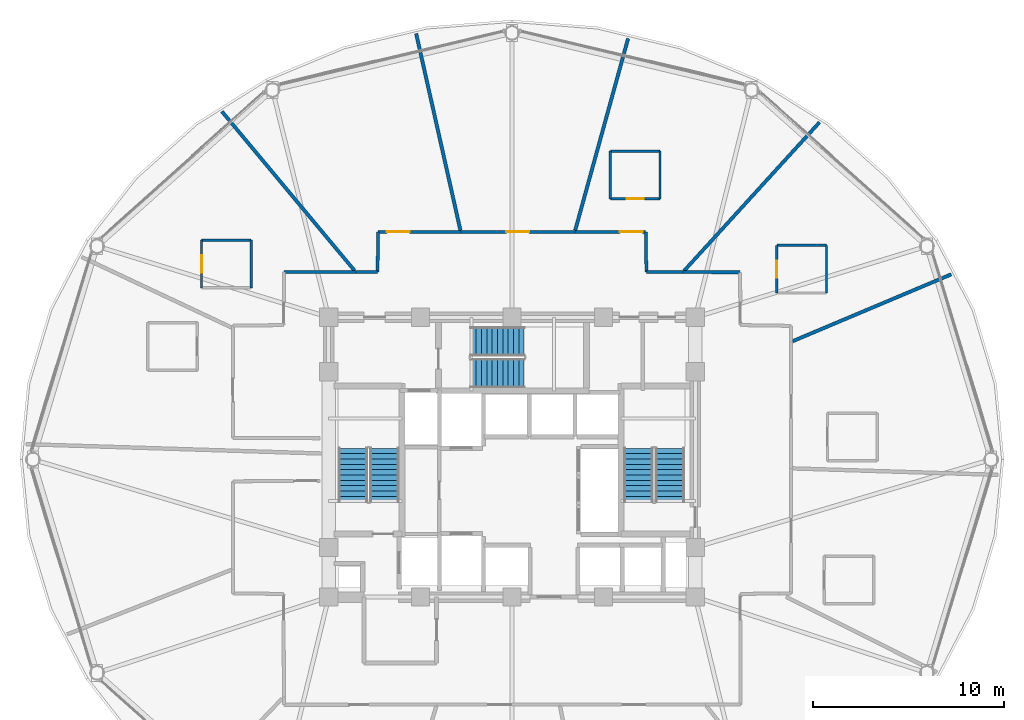
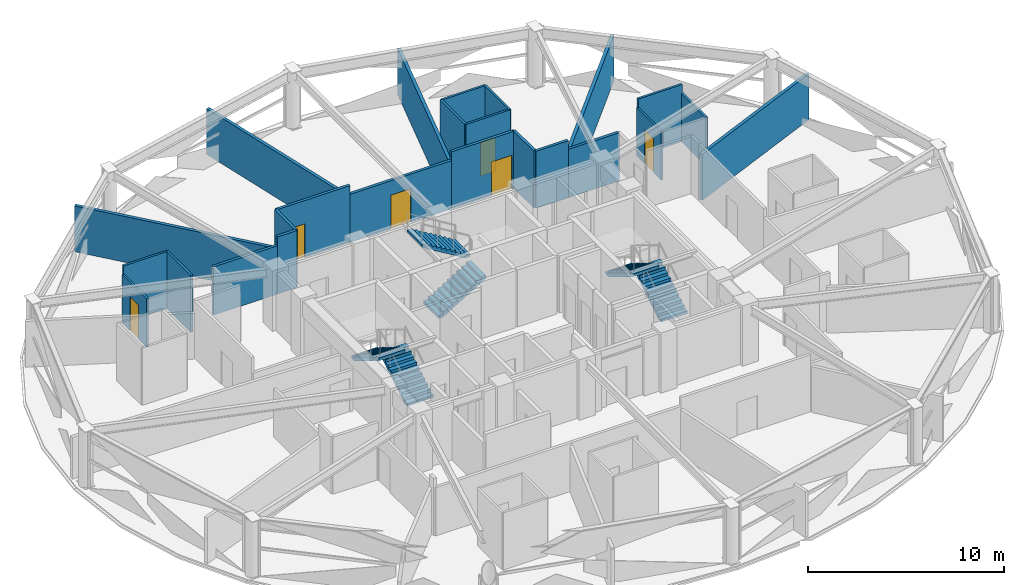
# One storey, part 26 of 30: 24 walls, 6 doors, 6 stair flights, 6 openings, 3 elements without a shape of their own.
"""IFC4 building model written with IfcOpenShell, lengths in metres."""

from ifc_helpers import new_model, si_unit, direction, frame, frame_2d, origin, place, context, subcontext, project, spatial, polyline, rectangle, outline, extrude, material, layer, layer_set, type_object, element, fill, aggregate, save


model = new_model("IFC4")

# Units and contexts
model_context = context("Model", 3, precision=1e-05, world=origin(), true_north=direction((0.0, 1.0)))
body_context = subcontext(model_context, "Body", "Model", "MODEL_VIEW")
ifc_project = project(units=[si_unit("LENGTHUNIT", "METRE"), si_unit("AREAUNIT", "SQUARE_METRE"), si_unit("VOLUMEUNIT", "CUBIC_METRE"), si_unit("PLANEANGLEUNIT", "RADIAN"), si_unit("MASSUNIT", "GRAM", prefix="KILO")], contexts=[model_context])

# Site, building, storey
site_placement = place(None, origin())
site = spatial("IfcSite", under=ifc_project, at=site_placement, CompositionType="ELEMENT")
building_placement = place(site_placement, origin())
building = spatial("IfcBuilding", under=site, at=building_placement, Name="Vantalir Tower", CompositionType="ELEMENT")
storey_placement = place(building_placement, frame((0.0, 0.0, 130.949951171875)))
storey = spatial("IfcBuildingStorey", under=building, at=storey_placement, Name="L32", CompositionType="ELEMENT", Elevation=130.949951171875)

# Wall
ifc_material_1 = material(Name="Moisture-resistant en-suite partition", Category="gypsum")
ifc_layer_1 = layer(ifc_material_1, 0.125)
ifc_layer_set_1 = layer_set([ifc_layer_1], Name="Moisture-resistant en-suite partition")
wall_type_1 = type_object("IfcWallType", Name="WL-BATH-125", PredefinedType="PARTITIONING", material=ifc_layer_set_1)
wall_1_placement = place(storey_placement, frame((45.373046875, 36.218994140625, 0.0), z_axis=(0.0, 0.0, 1.0), x_axis=(1.0, 0.0, 0.0)))
element("IfcWall", 1, at=wall_1_placement, inside=storey, type_object=wall_type_1, Name="L32 En-suite 01 North Wall", PredefinedType="PARTITIONING", context=body_context, shape_type="SweptSolid", body=[
    extrude(rectangle(XDim=2.599853515625, YDim=0.125, at=frame_2d((1.2998046875, 0.0))), origin(), (0.0, 0.0, 1.0), 3.550048828125),
])

# Wall, opening, door
wall_2_placement = place(storey_placement, frame((45.373046875, 33.718994140625, 0.0), z_axis=(0.0, 0.0, 1.0), x_axis=(0.0, 1.0, 0.0)))
wall_2 = element("IfcWall", 2, at=wall_2_placement, inside=storey, type_object=wall_type_1, Name="L32 En-suite 01 West Wall", PredefinedType="PARTITIONING", context=body_context, shape_type="SweptSolid", body=[
    extrude(rectangle(XDim=2.5, YDim=0.125, at=frame_2d((1.25, 0.0))), origin(), (0.0, 0.0, 1.0), 3.006103515625),
])
opening_1_placement = place(wall_2_placement, frame((0.800048828125, 0.0, 0.0)))
opening_1 = element("IfcOpeningElement", 3, at=opening_1_placement, cuts=wall_2, Name="Opening D-WC", PredefinedType="OPENING", context=body_context, shape_type="SweptSolid", body=[
    extrude(rectangle(XDim=0.89990234375, YDim=2.10009765625, at=frame_2d((0.449951171875, 1.050048828125))), frame((0.0, 0.072509765625, 0.0), z_axis=(0.0, -1.0, 0.0), x_axis=(1.0, 0.0, 0.0)), (0.0, 0.0, 1.0), 0.14501953125),
])
ifc_material_2 = material(Name="Moisture-resistant hardwood door", Category="wood")
door_type_1 = type_object("IfcDoorType", Name="DR-ENSUITE-900", OperationType="NOTDEFINED", PredefinedType="DOOR", material=ifc_material_2)
door_1_placement = place(opening_1_placement, frame((0.89990234375, 0.0, 0.0), z_axis=(0.0, 0.0, 1.0), x_axis=(-1.0, 0.0, 0.0)))
door_1 = element("IfcDoor", 4, at=door_1_placement, inside=storey, type_object=door_type_1, Name="L32 En-suite 01 Door", OperationType="SINGLE_SWING_RIGHT", OverallHeight=2.10009765625, OverallWidth=0.89990234375, PredefinedType="DOOR", context=body_context, shape_type="SweptSolid", body=[
    extrude(rectangle(XDim=0.89990234375, YDim=2.10009765625, at=frame_2d((0.449951171875, 1.050048828125))), frame((0.0, 0.02490234375, 0.0), z_axis=(0.0, -1.0, 0.0), x_axis=(1.0, 0.0, 0.0)), (0.0, 0.0, 1.0), 0.050048828125),
])
fill(opening_1, door_1)

# Wall
wall_3_placement = place(storey_placement, frame((47.972900390625, 33.718994140625, 0.0), z_axis=(0.0, 0.0, 1.0), x_axis=(0.0, 1.0, 0.0)))
element("IfcWall", 5, at=wall_3_placement, inside=storey, type_object=wall_type_1, Name="L32 En-suite 01 East Wall", PredefinedType="PARTITIONING", context=body_context, shape_type="SweptSolid", body=[
    extrude(rectangle(XDim=2.5, YDim=0.125, at=frame_2d((1.25, 0.0))), origin(), (0.0, 0.0, 1.0), 3.006103515625),
])

# Wall, opening, door
wall_4_placement = place(storey_placement, frame((36.64990234375, 38.64990234375, 0.0), z_axis=(0.0, 0.0, 1.0), x_axis=(1.0, 0.0, 0.0)))
wall_4 = element("IfcWall", 6, at=wall_4_placement, inside=storey, type_object=wall_type_1, Name="L32 En-suite 02 South Wall", PredefinedType="PARTITIONING", context=body_context, shape_type="SweptSolid", body=[
    extrude(rectangle(XDim=2.60009765625, YDim=0.125, at=frame_2d((1.300048828125, 0.0))), origin(), (0.0, 0.0, 1.0), 3.550048828125),
])
opening_2_placement = place(wall_4_placement, frame((0.85009765625, 0.0, 0.0)))
opening_2 = element("IfcOpeningElement", 7, at=opening_2_placement, cuts=wall_4, Name="Opening D-WC", PredefinedType="OPENING", context=body_context, shape_type="SweptSolid", body=[
    extrude(rectangle(XDim=0.89990234375, YDim=2.10009765625, at=frame_2d((0.449951171875, 1.050048828125))), frame((0.0, 0.072509765625, 0.0), z_axis=(0.0, -1.0, 0.0), x_axis=(1.0, 0.0, 0.0)), (0.0, 0.0, 1.0), 0.14501953125),
])
door_2_placement = place(opening_2_placement, origin())
door_2 = element("IfcDoor", 8, at=door_2_placement, inside=storey, type_object=door_type_1, Name="L32 En-suite 02 Door", OperationType="SINGLE_SWING_LEFT", OverallHeight=2.10009765625, OverallWidth=0.89990234375, PredefinedType="DOOR", context=body_context, shape_type="SweptSolid", body=[
    extrude(rectangle(XDim=0.89990234375, YDim=2.10009765625, at=frame_2d((0.449951171875, 1.050048828125))), frame((0.0, 0.02490234375, 0.0), z_axis=(0.0, -1.0, 0.0), x_axis=(1.0, 0.0, 0.0)), (0.0, 0.0, 1.0), 0.050048828125),
])
fill(opening_2, door_2)

# Walls
wall_5_placement = place(storey_placement, frame((36.64990234375, 41.14990234375, 0.0), z_axis=(0.0, 0.0, 1.0), x_axis=(1.0, 0.0, 0.0)))
element("IfcWall", 9, at=wall_5_placement, inside=storey, type_object=wall_type_1, Name="L32 En-suite 02 North Wall", PredefinedType="PARTITIONING", context=body_context, shape_type="SweptSolid", body=[
    extrude(rectangle(XDim=2.60009765625, YDim=0.125, at=frame_2d((1.300048828125, 0.0))), origin(), (0.0, 0.0, 1.0), 3.550048828125),
])
for number, where, z_axis, x_axis, name in (
    (10, (36.64990234375, 38.64990234375, 0.0), (0.0, 0.0, 1.0), (0.0, 1.0, 0.0), "L32 En-suite 02 West Wall"),
    (11, (39.25, 38.64990234375, 0.0), (0.0, 0.0, 1.0), (0.0, 1.0, 0.0), "L32 En-suite 02 East Wall"),
):
    element("IfcWall", number, at=place(storey_placement, frame(where, z_axis=z_axis, x_axis=x_axis)), inside=storey, type_object=wall_type_1, Name=name, PredefinedType="PARTITIONING", context=body_context, shape_type="SweptSolid", body=[
        extrude(rectangle(XDim=2.5, YDim=0.125, at=frame_2d((1.25, 0.0))), origin(), (0.0, 0.0, 1.0), 3.550048828125),
    ])
wall_6_placement = place(storey_placement, frame((15.239990234375, 36.488037109375, 0.0), z_axis=(0.0, 0.0, 1.0), x_axis=(1.0, 0.0, 0.0)))
element("IfcWall", 12, at=wall_6_placement, inside=storey, type_object=wall_type_1, Name="L32 En-suite 05 North Wall", PredefinedType="PARTITIONING", context=body_context, shape_type="SweptSolid", body=[
    extrude(rectangle(XDim=2.60009765625, YDim=0.125, at=frame_2d((1.300048828125, 0.0))), origin(), (0.0, 0.0, 1.0), 3.550048828125),
])

# Wall, opening, door
wall_7_placement = place(storey_placement, frame((15.239990234375, 33.988037109375, 0.0), z_axis=(0.0, 0.0, 1.0), x_axis=(0.0, 1.0, 0.0)))
wall_7 = element("IfcWall", 13, at=wall_7_placement, inside=storey, type_object=wall_type_1, Name="L32 En-suite 05 West Wall", PredefinedType="PARTITIONING", context=body_context, shape_type="SweptSolid", body=[
    extrude(rectangle(XDim=2.5, YDim=0.125, at=frame_2d((1.25, 0.0))), origin(), (0.0, 0.0, 1.0), 3.006103515625),
])
opening_3_placement = place(wall_7_placement, frame((0.800048828125, 0.0, 0.0)))
opening_3 = element("IfcOpeningElement", 14, at=opening_3_placement, cuts=wall_7, Name="Opening D-WC", PredefinedType="OPENING", context=body_context, shape_type="SweptSolid", body=[
    extrude(rectangle(XDim=0.89990234375, YDim=2.10009765625, at=frame_2d((0.449951171875, 1.050048828125))), frame((0.0, 0.072509765625, 0.0), z_axis=(0.0, -1.0, 0.0), x_axis=(1.0, 0.0, 0.0)), (0.0, 0.0, 1.0), 0.14501953125),
])
door_3_placement = place(opening_3_placement, frame((0.89990234375, 0.0, 0.0), z_axis=(0.0, 0.0, 1.0), x_axis=(-1.0, 0.0, 0.0)))
door_3 = element("IfcDoor", 15, at=door_3_placement, inside=storey, type_object=door_type_1, Name="L32 En-suite 05 Door", OperationType="SINGLE_SWING_RIGHT", OverallHeight=2.10009765625, OverallWidth=0.89990234375, PredefinedType="DOOR", context=body_context, shape_type="SweptSolid", body=[
    extrude(rectangle(XDim=0.89990234375, YDim=2.10009765625, at=frame_2d((0.449951171875, 1.050048828125))), frame((0.0, 0.02490234375, 0.0), z_axis=(0.0, -1.0, 0.0), x_axis=(1.0, 0.0, 0.0)), (0.0, 0.0, 1.0), 0.050048828125),
])
fill(opening_3, door_3)

# Walls
wall_8_placement = place(storey_placement, frame((17.840087890625, 33.988037109375, 0.0), z_axis=(0.0, 0.0, 1.0), x_axis=(0.0, 1.0, 0.0)))
element("IfcWall", 16, at=wall_8_placement, inside=storey, type_object=wall_type_1, Name="L32 En-suite 05 East Wall", PredefinedType="PARTITIONING", context=body_context, shape_type="SweptSolid", body=[
    extrude(rectangle(XDim=2.5, YDim=0.125, at=frame_2d((1.25, 0.0))), origin(), (0.0, 0.0, 1.0), 3.550048828125),
])
ifc_material_3 = material(Name="Fire-rated hotel corridor acoustic partition", Category="gypsum")
ifc_layer_2 = layer(ifc_material_3, 0.159912109375)
ifc_layer_set_2 = layer_set([ifc_layer_2], Name="Fire-rated hotel corridor acoustic partition")
wall_type_2 = type_object("IfcWallType", Name="WL-CORR-160", PredefinedType="PARTITIONING", material=ifc_layer_set_2)
wall_9_placement = place(storey_placement, frame((19.56005859375, 34.81201171875, 0.0), z_axis=(0.0, 0.0, 1.0), x_axis=(0.999999865088, 0.000519446719, 0.0)))
element("IfcWall", 17, at=wall_9_placement, inside=storey, type_object=wall_type_2, Name="L32 Corridor Partition 05", PredefinedType="PARTITIONING", context=body_context, shape_type="SweptSolid", body=[
    extrude(rectangle(XDim=3.760009765625, YDim=0.159912109375, at=frame_2d((1.8798828125, 0.0))), origin(), (0.0, 0.0, 1.0), 3.006103515625),
])
wall_10_placement = place(storey_placement, frame((23.320068359375, 34.81396484375, 0.0), z_axis=(0.0, 0.0, 1.0), x_axis=(0.99999963302, 0.000856714185, 0.0)))
element("IfcWall", 18, at=wall_10_placement, inside=storey, type_object=wall_type_2, Name="L32 Corridor Partition 06", PredefinedType="PARTITIONING", context=body_context, shape_type="SweptSolid", body=[
    extrude(rectangle(XDim=1.139892578125, YDim=0.159912109375, at=frame_2d((0.56982421875, 0.0))), origin(), (0.0, 0.0, 1.0), 3.550048828125),
])
wall_11_placement = place(storey_placement, frame((24.4599609375, 34.81494140625, 0.0), z_axis=(0.0, 0.0, 1.0), x_axis=(0.011921828921, 0.999928932472, 0.0)))
element("IfcWall", 19, at=wall_11_placement, inside=storey, type_object=wall_type_2, Name="L32 Corridor Partition 07", PredefinedType="PARTITIONING", context=body_context, shape_type="SweptSolid", body=[
    extrude(rectangle(XDim=2.109375, YDim=0.159912109375, at=frame_2d((1.0546875, 0.0))), origin(), (0.0, 0.0, 1.0), 3.550048828125),
])

# Wall, opening, door
wall_12_placement = place(storey_placement, frame((24.485107421875, 36.924072265625, 0.0), z_axis=(0.0, 0.0, 1.0), x_axis=(0.999999974588, 0.000225441013, 0.0)))
wall_12 = element("IfcWall", 20, at=wall_12_placement, inside=storey, type_object=wall_type_2, Name="L32 Corridor Partition 08", PredefinedType="PARTITIONING", context=body_context, shape_type="SweptSolid", body=[
    extrude(rectangle(XDim=4.331787109375, YDim=0.159912109375, at=frame_2d((2.166015625, 0.0))), origin(), (0.0, 0.0, 1.0), 3.550048828125),
])
opening_4_placement = place(wall_12_placement, frame((0.4560546875, 0.0, 0.0)))
opening_4 = element("IfcOpeningElement", 21, at=opening_4_placement, cuts=wall_12, Name="Opening D-STE", PredefinedType="OPENING", context=body_context, shape_type="SweptSolid", body=[
    extrude(rectangle(XDim=1.199951171875, YDim=2.10009765625, at=frame_2d((0.60009765625, 1.050048828125))), frame((0.0, 0.08984375, 0.0), z_axis=(0.0, -1.0, 0.0), x_axis=(1.0, 0.0, 0.0)), (0.0, 0.0, 1.0), 0.179931640625),
])
ifc_material_4 = material(Name="Solid-core teak veneer suite entrance door", Category="wood")
door_type_2 = type_object("IfcDoorType", Name="DR-SUITE-ENTRY-1200", OperationType="NOTDEFINED", PredefinedType="DOOR", material=ifc_material_4)
door_4_placement = place(opening_4_placement, origin())
door_4 = element("IfcDoor", 22, at=door_4_placement, inside=storey, type_object=door_type_2, Name="L32 Executive Sky Boardroom 04 Door", OperationType="SINGLE_SWING_LEFT", OverallHeight=2.10009765625, OverallWidth=1.199951171875, PredefinedType="DOOR", context=body_context, shape_type="SweptSolid", body=[
    extrude(rectangle(XDim=1.199951171875, YDim=2.10009765625, at=frame_2d((0.60009765625, 1.050048828125))), frame((0.0, 0.02490234375, 0.0), z_axis=(0.0, -1.0, 0.0), x_axis=(1.0, 0.0, 0.0)), (0.0, 0.0, 1.0), 0.050048828125),
])
fill(opening_4, door_4)

wall_13_placement = place(storey_placement, frame((28.81689453125, 36.925048828125, 0.0), z_axis=(0.0, 0.0, 1.0), x_axis=(0.999999946523, 0.000327037837, 0.0)))
wall_13 = element("IfcWall", 23, at=wall_13_placement, inside=storey, type_object=wall_type_2, Name="L32 Corridor Partition 09", PredefinedType="PARTITIONING", context=body_context, shape_type="SweptSolid", body=[
    extrude(rectangle(XDim=5.97216796875, YDim=0.159912109375, at=frame_2d((2.986083984375, 0.0))), origin(), (0.0, 0.0, 1.0), 3.006103515625),
])
opening_5_placement = place(wall_13_placement, frame((2.385986328125, 0.0, 0.0)))
opening_5 = element("IfcOpeningElement", 24, at=opening_5_placement, cuts=wall_13, Name="Opening D-STE", PredefinedType="OPENING", context=body_context, shape_type="SweptSolid", body=[
    extrude(rectangle(XDim=1.199951171875, YDim=2.10009765625, at=frame_2d((0.60009765625, 1.050048828125))), frame((0.0, 0.08984375, 0.0), z_axis=(0.0, -1.0, 0.0), x_axis=(1.0, 0.0, 0.0)), (0.0, 0.0, 1.0), 0.179931640625),
])
door_5_placement = place(opening_5_placement, origin())
door_5 = element("IfcDoor", 25, at=door_5_placement, inside=storey, type_object=door_type_2, Name="L32 Executive Sky Boardroom 03 Door", OperationType="SINGLE_SWING_RIGHT", OverallHeight=2.10009765625, OverallWidth=1.199951171875, PredefinedType="DOOR", context=body_context, shape_type="SweptSolid", body=[
    extrude(rectangle(XDim=1.199951171875, YDim=2.10009765625, at=frame_2d((0.60009765625, 1.050048828125))), frame((0.0, 0.02490234375, 0.0), z_axis=(0.0, -1.0, 0.0), x_axis=(1.0, 0.0, 0.0)), (0.0, 0.0, 1.0), 0.050048828125),
])
fill(opening_5, door_5)

wall_14_placement = place(storey_placement, frame((34.7890625, 36.927001953125, 0.0), z_axis=(0.0, 0.0, 1.0), x_axis=(1.0, 0.0, 0.0)))
wall_14 = element("IfcWall", 26, at=wall_14_placement, inside=storey, type_object=wall_type_2, Name="L32 Corridor Partition 10", PredefinedType="PARTITIONING", context=body_context, shape_type="SweptSolid", body=[
    extrude(rectangle(XDim=3.71484375, YDim=0.159912109375, at=frame_2d((1.857421875, 0.0))), origin(), (0.0, 0.0, 1.0), 3.550048828125),
])
opening_6_placement = place(wall_14_placement, frame((2.35498046875, 0.0, 0.0)))
opening_6 = element("IfcOpeningElement", 27, at=opening_6_placement, cuts=wall_14, Name="Opening D-STE", PredefinedType="OPENING", context=body_context, shape_type="SweptSolid", body=[
    extrude(rectangle(XDim=1.199951171875, YDim=2.10009765625, at=frame_2d((0.60009765625, 1.050048828125))), frame((0.0, 0.08984375, 0.0), z_axis=(0.0, -1.0, 0.0), x_axis=(1.0, 0.0, 0.0)), (0.0, 0.0, 1.0), 0.179931640625),
])
door_6_placement = place(opening_6_placement, origin())
door_6 = element("IfcDoor", 28, at=door_6_placement, inside=storey, type_object=door_type_2, Name="L32 Corner Panorama Hotel Suite 02 Door", OperationType="SINGLE_SWING_LEFT", OverallHeight=2.10009765625, OverallWidth=1.199951171875, PredefinedType="DOOR", context=body_context, shape_type="SweptSolid", body=[
    extrude(rectangle(XDim=1.199951171875, YDim=2.10009765625, at=frame_2d((0.60009765625, 1.050048828125))), frame((0.0, 0.02490234375, 0.0), z_axis=(0.0, -1.0, 0.0), x_axis=(1.0, 0.0, 0.0)), (0.0, 0.0, 1.0), 0.050048828125),
])
fill(opening_6, door_6)

# Walls
wall_15_placement = place(storey_placement, frame((38.50390625, 36.927001953125, 0.0), z_axis=(0.0, 0.0, 1.0), x_axis=(0.017105345803, -0.99985369287, 0.0)))
element("IfcWall", 29, at=wall_15_placement, inside=storey, type_object=wall_type_2, Name="L32 Corridor Partition 11", PredefinedType="PARTITIONING", context=body_context, shape_type="SweptSolid", body=[
    extrude(rectangle(XDim=2.1123046875, YDim=0.159912109375, at=frame_2d((1.05615234375, 0.0))), origin(), (0.0, 0.0, 1.0), 3.550048828125),
])
wall_16_placement = place(storey_placement, frame((38.5400390625, 34.81494140625, 0.0), z_axis=(0.0, 0.0, 1.0), x_axis=(0.999998819901, -0.001536293156, 0.0)))
element("IfcWall", 30, at=wall_16_placement, inside=storey, type_object=wall_type_2, Name="L32 Corridor Partition 12", PredefinedType="PARTITIONING", context=body_context, shape_type="SweptSolid", body=[
    extrude(rectangle(XDim=1.906982421875, YDim=0.159912109375, at=frame_2d((0.95361328125, 0.0))), origin(), (0.0, 0.0, 1.0), 3.550048828125),
])
wall_17_placement = place(storey_placement, frame((40.447021484375, 34.81201171875, 0.0), z_axis=(0.0, 0.0, 1.0), x_axis=(0.999999152291, -0.00130208223, 0.0)))
element("IfcWall", 31, at=wall_17_placement, inside=storey, type_object=wall_type_2, Name="L32 Corridor Partition 13", PredefinedType="PARTITIONING", context=body_context, shape_type="SweptSolid", body=[
    extrude(rectangle(XDim=3.0, YDim=0.159912109375, at=frame_2d((1.5, 0.0))), origin(), (0.0, 0.0, 1.0), 3.006103515625),
])
ifc_material_5 = material(Name="Twin-stud acoustic fire-rated gypsum partition", Category="gypsum")
ifc_layer_3 = layer(ifc_material_5, 0.179931640625)
ifc_layer_set_3 = layer_set([ifc_layer_3], Name="Twin-stud acoustic fire-rated gypsum partition")
wall_type_3 = type_object("IfcWallType", Name="WL-GUEST-180", PredefinedType="PARTITIONING", material=ifc_layer_set_3)
wall_18_placement = place(storey_placement, frame((46.195068359375, 31.195068359375, 0.0), z_axis=(0.0, 0.0, 1.0), x_axis=(0.921433509602, 0.388536082472, 0.0)))
element("IfcWall", 32, at=wall_18_placement, inside=storey, type_object=wall_type_3, Name="L32 Radial Suite Partition 01", PredefinedType="PARTITIONING", context=body_context, shape_type="SweptSolid", body=[
    extrude(rectangle(XDim=9.020751953125, YDim=0.179931640625, at=frame_2d((4.51025390625, 0.0))), origin(), (0.0, 0.0, 1.0), 2.85205078125),
])
wall_19_placement = place(storey_placement, frame((40.51806640625, 34.889892578125, 0.0), z_axis=(0.0, 0.0, 1.0), x_axis=(0.673776979514, 0.738934761584, 0.0)))
element("IfcWall", 33, at=wall_19_placement, inside=storey, type_object=wall_type_3, Name="L32 Radial Suite Partition 02", PredefinedType="PARTITIONING", context=body_context, shape_type="SweptSolid", body=[
    extrude(rectangle(XDim=10.513916015625, YDim=0.179931640625, at=frame_2d((5.2568359375, 0.0))), origin(), (0.0, 0.0, 1.0), 2.85205078125),
])
wall_20_placement = place(storey_placement, frame((34.81005859375, 37.0029296875, 0.0), z_axis=(0.0, 0.0, 1.0), x_axis=(0.265864467885, 0.964010417328, 0.0)))
element("IfcWall", 34, at=wall_20_placement, inside=storey, type_object=wall_type_3, Name="L32 Radial Suite Partition 03", PredefinedType="PARTITIONING", context=body_context, shape_type="SweptSolid", body=[
    extrude(rectangle(XDim=10.42626953125, YDim=0.179931640625, at=frame_2d((5.213134765625, 0.0))), origin(), (0.0, 0.0, 1.0), 2.85205078125),
])
wall_21_placement = place(storey_placement, frame((28.799072265625, 37.0029296875, 0.0), z_axis=(0.0, 0.0, 1.0), x_axis=(-0.219530892815, 0.975605548928, 0.0)))
element("IfcWall", 35, at=wall_21_placement, inside=storey, type_object=wall_type_3, Name="L32 Radial Suite Partition 04", PredefinedType="PARTITIONING", context=body_context, shape_type="SweptSolid", body=[
    extrude(rectangle(XDim=10.56396484375, YDim=0.179931640625, at=frame_2d((5.281982421875, 0.0))), origin(), (0.0, 0.0, 1.0), 2.85205078125),
])
wall_22_placement = place(storey_placement, frame((23.257080078125, 34.889892578125, 0.0), z_axis=(0.0, 0.0, 1.0), x_axis=(-0.640323770466, 0.768105115837, 0.0)))
element("IfcWall", 36, at=wall_22_placement, inside=storey, type_object=wall_type_3, Name="L32 Radial Suite Partition 05", PredefinedType="PARTITIONING", context=body_context, shape_type="SweptSolid", body=[
    extrude(rectangle(XDim=10.854248046875, YDim=0.179931640625, at=frame_2d((5.42724609375, 0.0))), origin(), (0.0, 0.0, 1.0), 2.85205078125),
])

# Stair, stair flights
ifc_material_6 = material(Name="Concrete C40/50", Category="concrete")
stair_type = type_object("IfcStairType", Name="STR-CORE-1450", PredefinedType="HALF_TURN_STAIR", material=ifc_material_6)
stair_1_placement = place(storey_placement, origin())
stair_1 = element("IfcStair", 37, at=stair_1_placement, inside=storey, type_object=stair_type, Name="L32 Core Exit Stair 1", PredefinedType="HALF_TURN_STAIR")
stair_flight_type = type_object("IfcStairFlightType", Name="FLT-CORE-1450", PredefinedType="STRAIGHT", material=ifc_material_6)
stair_flight_1_placement = place(storey_placement, frame((24.830078125, 22.7900390625, 0.0), z_axis=(0.0, 0.0, 1.0), x_axis=(0.0, 1.0, 0.0)))
stair_flight_1 = element("IfcStairFlight", 38, at=stair_flight_1_placement, type_object=stair_flight_type, Name="ST1 flight 1", NumberOfRisers=11, NumberOfTreads=10, PredefinedType="STRAIGHT", RiserHeight=0.170454545, TreadLength=0.28, context=body_context, shape_type="SweptSolid", body=[
    extrude(outline(polyline([(0.0, 0.0), (0.0, 0.17041015625), (0.280029296875, 0.17041015625), (0.280029296875, 0.3408203125), (0.56005859375, 0.3408203125), (0.56005859375, 0.511474609375), (0.840087890625, 0.511474609375), (0.840087890625, 0.681884765625), (1.1201171875, 0.681884765625), (1.1201171875, 0.852294921875), (1.39990234375, 0.852294921875), (1.39990234375, 1.022705078125), (1.679931640625, 1.022705078125), (1.679931640625, 1.193115234375), (1.9599609375, 1.193115234375), (1.9599609375, 1.363525390625), (2.239990234375, 1.363525390625), (2.239990234375, 1.5341796875), (2.52001953125, 1.5341796875), (2.52001953125, 1.70458984375), (2.800048828125, 1.70458984375), (2.800048828125, 1.875), (2.800048828125, 1.529052734375), (0.288330078125, 0.0), (0.0, 0.0)])), frame((0.0, 0.77001953125, 0.0), z_axis=(0.0, -1.0, 0.0), x_axis=(1.0, 0.0, 0.0)), (0.0, 0.0, 1.0), 1.5400390625),
])
stair_flight_2_placement = place(storey_placement, frame((23.169921875, 25.590087890625, 1.875), z_axis=(0.0, 0.0, 1.0), x_axis=(0.0, -1.0, 0.0)))
stair_flight_2 = element("IfcStairFlight", 39, at=stair_flight_2_placement, type_object=stair_flight_type, Name="ST1 flight 2", NumberOfRisers=11, NumberOfTreads=10, PredefinedType="STRAIGHT", RiserHeight=0.170454545, TreadLength=0.28, context=body_context, shape_type="SweptSolid", body=[
    extrude(outline(polyline([(0.0, 0.0), (0.0, 0.17041015625), (0.280029296875, 0.17041015625), (0.280029296875, 0.3408203125), (0.56005859375, 0.3408203125), (0.56005859375, 0.511474609375), (0.840087890625, 0.511474609375), (0.840087890625, 0.681884765625), (1.1201171875, 0.681884765625), (1.1201171875, 0.852294921875), (1.39990234375, 0.852294921875), (1.39990234375, 1.022705078125), (1.679931640625, 1.022705078125), (1.679931640625, 1.193115234375), (1.9599609375, 1.193115234375), (1.9599609375, 1.363525390625), (2.239990234375, 1.363525390625), (2.239990234375, 1.5341796875), (2.52001953125, 1.5341796875), (2.52001953125, 1.70458984375), (2.800048828125, 1.70458984375), (2.800048828125, 1.875), (2.800048828125, 1.529052734375), (0.288330078125, 0.0), (0.0, 0.0)])), frame((0.0, 0.77001953125, 0.0), z_axis=(0.0, -1.0, 0.0), x_axis=(1.0, 0.0, 0.0)), (0.0, 0.0, 1.0), 1.5400390625),
])
aggregate(stair_1, [stair_flight_1, stair_flight_2])

stair_2_placement = place(storey_placement, origin())
stair_2 = element("IfcStair", 40, at=stair_2_placement, inside=storey, type_object=stair_type, Name="L32 Core Exit Stair 2", PredefinedType="HALF_TURN_STAIR")
stair_flight_3_placement = place(storey_placement, frame((39.780029296875, 22.7900390625, 0.0), z_axis=(0.0, 0.0, 1.0), x_axis=(0.0, 1.0, 0.0)))
stair_flight_3 = element("IfcStairFlight", 41, at=stair_flight_3_placement, type_object=stair_flight_type, Name="ST2 flight 1", NumberOfRisers=11, NumberOfTreads=10, PredefinedType="STRAIGHT", RiserHeight=0.170454545, TreadLength=0.28, context=body_context, shape_type="SweptSolid", body=[
    extrude(outline(polyline([(0.0, 0.0), (0.0, 0.17041015625), (0.280029296875, 0.17041015625), (0.280029296875, 0.3408203125), (0.56005859375, 0.3408203125), (0.56005859375, 0.511474609375), (0.840087890625, 0.511474609375), (0.840087890625, 0.681884765625), (1.1201171875, 0.681884765625), (1.1201171875, 0.852294921875), (1.39990234375, 0.852294921875), (1.39990234375, 1.022705078125), (1.679931640625, 1.022705078125), (1.679931640625, 1.193115234375), (1.9599609375, 1.193115234375), (1.9599609375, 1.363525390625), (2.239990234375, 1.363525390625), (2.239990234375, 1.5341796875), (2.52001953125, 1.5341796875), (2.52001953125, 1.70458984375), (2.800048828125, 1.70458984375), (2.800048828125, 1.875), (2.800048828125, 1.529052734375), (0.288330078125, 0.0), (0.0, 0.0)])), frame((0.0, 0.77001953125, 0.0), z_axis=(0.0, -1.0, 0.0), x_axis=(1.0, 0.0, 0.0)), (0.0, 0.0, 1.0), 1.5400390625),
])
stair_flight_4_placement = place(storey_placement, frame((38.1201171875, 25.590087890625, 1.875), z_axis=(0.0, 0.0, 1.0), x_axis=(0.0, -1.0, 0.0)))
stair_flight_4 = element("IfcStairFlight", 42, at=stair_flight_4_placement, type_object=stair_flight_type, Name="ST2 flight 2", NumberOfRisers=11, NumberOfTreads=10, PredefinedType="STRAIGHT", RiserHeight=0.170454545, TreadLength=0.28, context=body_context, shape_type="SweptSolid", body=[
    extrude(outline(polyline([(0.0, 0.0), (0.0, 0.17041015625), (0.280029296875, 0.17041015625), (0.280029296875, 0.3408203125), (0.56005859375, 0.3408203125), (0.56005859375, 0.511474609375), (0.840087890625, 0.511474609375), (0.840087890625, 0.681884765625), (1.1201171875, 0.681884765625), (1.1201171875, 0.852294921875), (1.39990234375, 0.852294921875), (1.39990234375, 1.022705078125), (1.679931640625, 1.022705078125), (1.679931640625, 1.193115234375), (1.9599609375, 1.193115234375), (1.9599609375, 1.363525390625), (2.239990234375, 1.363525390625), (2.239990234375, 1.5341796875), (2.52001953125, 1.5341796875), (2.52001953125, 1.70458984375), (2.800048828125, 1.70458984375), (2.800048828125, 1.875), (2.800048828125, 1.529052734375), (0.288330078125, 0.0), (0.0, 0.0)])), frame((0.0, 0.77001953125, 0.0), z_axis=(0.0, -1.0, 0.0), x_axis=(1.0, 0.0, 0.0)), (0.0, 0.0, 1.0), 1.5400390625),
])
aggregate(stair_2, [stair_flight_3, stair_flight_4])

stair_3_placement = place(storey_placement, origin())
stair_3 = element("IfcStair", 43, at=stair_3_placement, inside=storey, type_object=stair_type, Name="L32 Core Exit Stair 3", PredefinedType="HALF_TURN_STAIR")
stair_flight_5_placement = place(storey_placement, frame((29.340087890625, 29.52001953125, 0.0), z_axis=(0.0, 0.0, 1.0), x_axis=(1.0, 0.0, 0.0)))
stair_flight_5 = element("IfcStairFlight", 44, at=stair_flight_5_placement, type_object=stair_flight_type, Name="ST3 flight 1", NumberOfRisers=11, NumberOfTreads=10, PredefinedType="STRAIGHT", RiserHeight=0.170454545, TreadLength=0.28, context=body_context, shape_type="SweptSolid", body=[
    extrude(outline(polyline([(0.0, 0.0), (0.0, 0.17041015625), (0.280029296875, 0.17041015625), (0.280029296875, 0.3408203125), (0.56005859375, 0.3408203125), (0.56005859375, 0.511474609375), (0.840087890625, 0.511474609375), (0.840087890625, 0.681884765625), (1.1201171875, 0.681884765625), (1.1201171875, 0.852294921875), (1.39990234375, 0.852294921875), (1.39990234375, 1.022705078125), (1.679931640625, 1.022705078125), (1.679931640625, 1.193115234375), (1.9599609375, 1.193115234375), (1.9599609375, 1.363525390625), (2.239990234375, 1.363525390625), (2.239990234375, 1.5341796875), (2.52001953125, 1.5341796875), (2.52001953125, 1.70458984375), (2.800048828125, 1.70458984375), (2.800048828125, 1.875), (2.800048828125, 1.529052734375), (0.288330078125, 0.0), (0.0, 0.0)])), frame((0.0, 0.77001953125, 0.0), z_axis=(0.0, -1.0, 0.0), x_axis=(1.0, 0.0, 0.0)), (0.0, 0.0, 1.0), 1.5400390625),
])
stair_flight_6_placement = place(storey_placement, frame((32.139892578125, 31.179931640625, 1.875), z_axis=(0.0, 0.0, 1.0), x_axis=(-1.0, 0.0, 0.0)))
stair_flight_6 = element("IfcStairFlight", 45, at=stair_flight_6_placement, type_object=stair_flight_type, Name="ST3 flight 2", NumberOfRisers=11, NumberOfTreads=10, PredefinedType="STRAIGHT", RiserHeight=0.170454545, TreadLength=0.28, context=body_context, shape_type="SweptSolid", body=[
    extrude(outline(polyline([(0.0, 0.0), (0.0, 0.17041015625), (0.280029296875, 0.17041015625), (0.280029296875, 0.3408203125), (0.56005859375, 0.3408203125), (0.56005859375, 0.511474609375), (0.840087890625, 0.511474609375), (0.840087890625, 0.681884765625), (1.1201171875, 0.681884765625), (1.1201171875, 0.852294921875), (1.39990234375, 0.852294921875), (1.39990234375, 1.022705078125), (1.679931640625, 1.022705078125), (1.679931640625, 1.193115234375), (1.9599609375, 1.193115234375), (1.9599609375, 1.363525390625), (2.239990234375, 1.363525390625), (2.239990234375, 1.5341796875), (2.52001953125, 1.5341796875), (2.52001953125, 1.70458984375), (2.800048828125, 1.70458984375), (2.800048828125, 1.875), (2.800048828125, 1.529052734375), (0.288330078125, 0.0), (0.0, 0.0)])), frame((0.0, 0.77001953125, 0.0), z_axis=(0.0, -1.0, 0.0), x_axis=(1.0, 0.0, 0.0)), (0.0, 0.0, 1.0), 1.5400390625),
])
aggregate(stair_3, [stair_flight_5, stair_flight_6])

save(model, "model.ifc")
